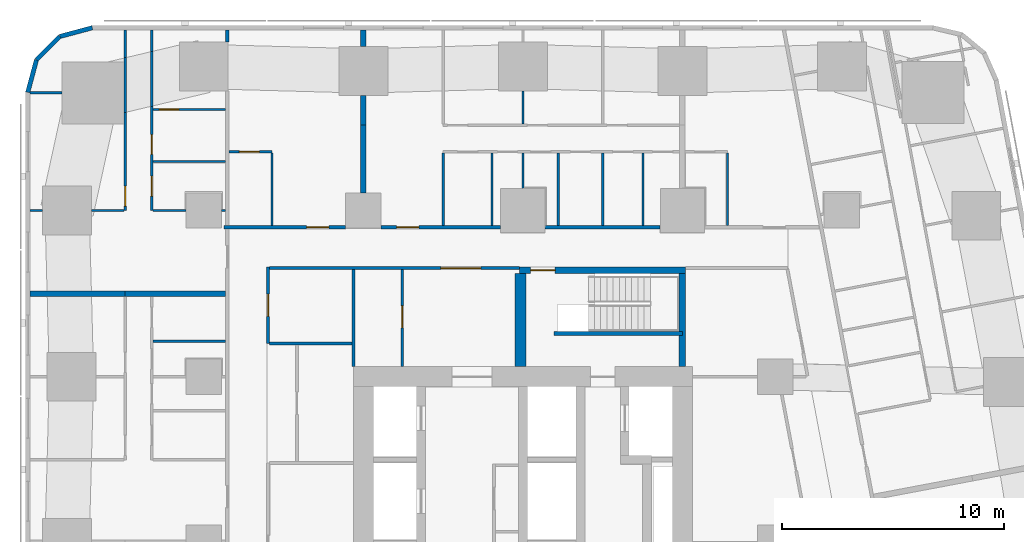
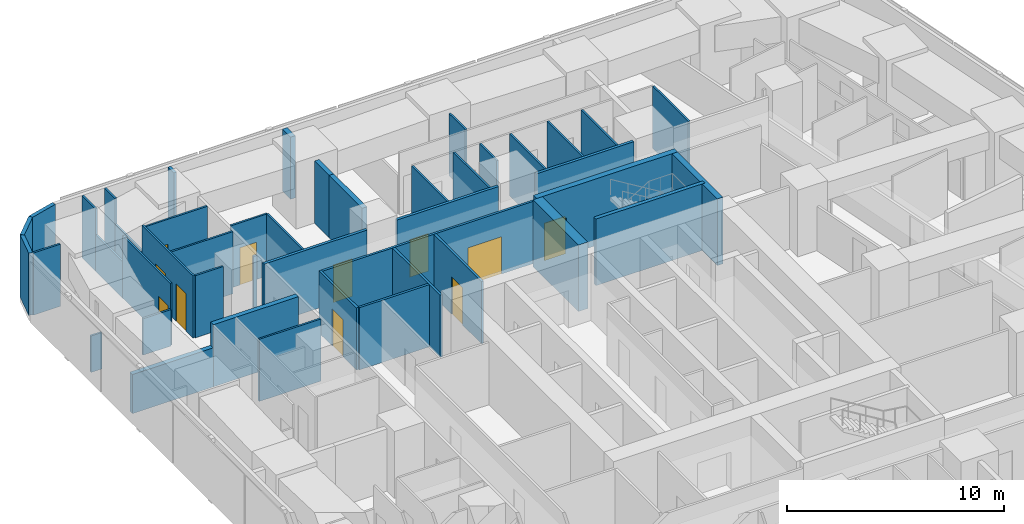
# One storey, part 8 of 15: 45 walls, 11 doors, 11 openings.
"""IFC4 building model written with IfcOpenShell, lengths in metres."""

from ifc_helpers import new_model, si_unit, direction, frame, frame_2d, origin, place, context, subcontext, project, spatial, rectangle, extrude, material, layer, layer_set, type_object, element, fill, save


model = new_model("IFC4")

# Units and contexts
model_context = context("Model", 3, precision=1e-05, world=origin(), true_north=direction((0.0, 1.0)))
body_context = subcontext(model_context, "Body", "Model", "MODEL_VIEW")
ifc_project = project(units=[si_unit("LENGTHUNIT", "METRE"), si_unit("AREAUNIT", "SQUARE_METRE"), si_unit("VOLUMEUNIT", "CUBIC_METRE"), si_unit("PLANEANGLEUNIT", "RADIAN"), si_unit("MASSUNIT", "GRAM", prefix="KILO")], contexts=[model_context])

# Site, building, storey
site_placement = place(None, origin())
site = spatial("IfcSite", under=ifc_project, at=site_placement, CompositionType="ELEMENT")
building_placement = place(site_placement, origin())
building = spatial("IfcBuilding", under=site, at=building_placement, Name="Sheger Commons Tower", CompositionType="ELEMENT")
storey_placement = place(building_placement, frame((0.0, 0.0, 77.89990234375)))
storey = spatial("IfcBuildingStorey", under=building, at=storey_placement, Name="L19", CompositionType="ELEMENT", Elevation=77.89990234375)

# Wall
ifc_material_1 = material(Name="Hollow concrete block masonry, skimmed both sides", Category="masonry")
ifc_layer_1 = layer(ifc_material_1, 0.14990234375)
ifc_layer_set_1 = layer_set([ifc_layer_1], Name="CORRIDOR WALL 150")
wall_type_1 = type_object("IfcWallType", Name="CORRIDOR WALL 150", PredefinedType="SOLIDWALL", material=ifc_layer_set_1)
wall_1_placement = place(storey_placement, frame((8.25, 45.10107421875, 0.0), z_axis=(0.0, 0.0, 1.0), x_axis=(0.0, 1.0, 0.0)))
element("IfcWall", 1, at=wall_1_placement, inside=storey, type_object=wall_type_1, Name="Corridor wall L19", PredefinedType="SOLIDWALL", context=body_context, shape_type="SweptSolid", body=[
    extrude(rectangle(XDim=0.548828125, YDim=0.14990234375, at=frame_2d((0.2744140625, 0.0))), origin(), (0.0, 0.0, 1.0), 3.5),
])

# Wall, opening, door
wall_2_placement = place(storey_placement, frame((8.10009765625, 36.75, 0.0), z_axis=(0.0, 0.0, 1.0), x_axis=(1.0, 0.0, 0.0)))
wall_2 = element("IfcWall", 2, at=wall_2_placement, inside=storey, type_object=wall_type_1, Name="Corridor wall L19", PredefinedType="SOLIDWALL", context=body_context, shape_type="SweptSolid", body=[
    extrude(rectangle(XDim=5.4990234375, YDim=0.14990234375, at=frame_2d((2.74951171875, 0.0))), origin(), (0.0, 0.0, 1.0), 3.5),
])
opening_1_placement = place(wall_2_placement, frame((3.739013671875, 0.0, 0.0)))
opening_1 = element("IfcOpeningElement", 3, at=opening_1_placement, cuts=wall_2, Name="Opening D1", PredefinedType="OPENING", context=body_context, shape_type="SweptSolid", body=[
    extrude(rectangle(XDim=1.0, YDim=2.10009765625, at=frame_2d((0.5, 1.050048828125))), frame((0.0, 0.0849609375, 0.0), z_axis=(0.0, -1.0, 0.0), x_axis=(1.0, 0.0, 0.0)), (0.0, 0.0, 1.0), 0.169921875),
])
ifc_material_2 = material(Name="Steel door set, fire rated", Category="steel")
door_type_1 = type_object("IfcDoorType", Name="FLAT ENTRANCE DOOR 1000x2100", OperationType="NOTDEFINED", PredefinedType="DOOR", material=ifc_material_2)
door_1_placement = place(opening_1_placement, origin())
door_1 = element("IfcDoor", 4, at=door_1_placement, inside=storey, type_object=door_type_1, Name="Flat entrance door", OperationType="SINGLE_SWING_RIGHT", OverallHeight=2.10009765625, OverallWidth=1.0, PredefinedType="DOOR", context=body_context, shape_type="SweptSolid", body=[
    extrude(rectangle(XDim=1.0, YDim=2.10009765625, at=frame_2d((0.5, 1.050048828125))), frame((0.0, 0.02490234375, 0.0), z_axis=(0.0, -1.0, 0.0), x_axis=(1.0, 0.0, 0.0)), (0.0, 0.0, 1.0), 0.050048828125),
])
fill(opening_1, door_1)

wall_3_placement = place(storey_placement, frame((15.200927734375, 36.75, 0.0), z_axis=(0.0, 0.0, 1.0), x_axis=(1.0, 0.0, 0.0)))
wall_3 = element("IfcWall", 5, at=wall_3_placement, inside=storey, type_object=wall_type_1, Name="Corridor wall L19", PredefinedType="SOLIDWALL", context=body_context, shape_type="SweptSolid", body=[
    extrude(rectangle(XDim=5.398193359375, YDim=0.14990234375, at=frame_2d((2.69921875, 0.0))), origin(), (0.0, 0.0, 1.0), 3.5),
])
opening_2_placement = place(wall_3_placement, frame((0.698974609375, 0.0, 0.0)))
opening_2 = element("IfcOpeningElement", 6, at=opening_2_placement, cuts=wall_3, Name="Opening D1", PredefinedType="OPENING", context=body_context, shape_type="SweptSolid", body=[
    extrude(rectangle(XDim=1.0, YDim=2.10009765625, at=frame_2d((0.5, 1.050048828125))), frame((0.0, 0.0849609375, 0.0), z_axis=(0.0, -1.0, 0.0), x_axis=(1.0, 0.0, 0.0)), (0.0, 0.0, 1.0), 0.169921875),
])
door_2_placement = place(opening_2_placement, origin())
door_2 = element("IfcDoor", 7, at=door_2_placement, inside=storey, type_object=door_type_1, Name="Flat entrance door", OperationType="SINGLE_SWING_LEFT", OverallHeight=2.10009765625, OverallWidth=1.0, PredefinedType="DOOR", context=body_context, shape_type="SweptSolid", body=[
    extrude(rectangle(XDim=1.0, YDim=2.10009765625, at=frame_2d((0.5, 1.050048828125))), frame((0.0, 0.02490234375, 0.0), z_axis=(0.0, -1.0, 0.0), x_axis=(1.0, 0.0, 0.0)), (0.0, 0.0, 1.0), 0.050048828125),
])
fill(opening_2, door_2)

# Walls
wall_4_placement = place(storey_placement, frame((22.60107421875, 36.75, 0.0), z_axis=(0.0, 0.0, 1.0), x_axis=(1.0, 0.0, 0.0)))
element("IfcWall", 8, at=wall_4_placement, inside=storey, type_object=wall_type_1, Name="Corridor wall L19", PredefinedType="SOLIDWALL", context=body_context, shape_type="SweptSolid", body=[
    extrude(rectangle(XDim=5.197998046875, YDim=0.14990234375, at=frame_2d((2.59912109375, 0.0))), origin(), (0.0, 0.0, 1.0), 3.5),
])
ifc_material_3 = material(Name="Dense concrete block masonry, plastered both sides (separating wall between flats)", Category="masonry")
ifc_layer_2 = layer(ifc_material_3, 0.25)
ifc_layer_set_2 = layer_set([ifc_layer_2], Name="DEMISING WALL 250")
wall_type_2 = type_object("IfcWallType", Name="DEMISING WALL 250", PredefinedType="SOLIDWALL", material=ifc_layer_set_2)
wall_5_placement = place(storey_placement, frame((-0.64990234375, 33.75, 0.0), z_axis=(0.0, 0.0, 1.0), x_axis=(1.0, 0.0, 0.0)))
element("IfcWall", 9, at=wall_5_placement, inside=storey, type_object=wall_type_2, Name="Demising wall L19", PredefinedType="SOLIDWALL", context=body_context, shape_type="SweptSolid", body=[
    extrude(rectangle(XDim=4.2998046875, YDim=0.25, at=frame_2d((2.14990234375, 0.0))), origin(), (0.0, 0.0, 1.0), 2.2001953125),
])
wall_6_placement = place(storey_placement, frame((3.64990234375, 33.75, 0.0), z_axis=(0.0, 0.0, 1.0), x_axis=(1.0, 0.0, 0.0)))
element("IfcWall", 10, at=wall_6_placement, inside=storey, type_object=wall_type_2, Name="Demising wall L19", PredefinedType="SOLIDWALL", context=body_context, shape_type="SweptSolid", body=[
    extrude(rectangle(XDim=4.525146484375, YDim=0.25, at=frame_2d((2.2626953125, 0.0))), origin(), (0.0, 0.0, 1.0), 3.5),
])
wall_7_placement = place(storey_placement, frame((14.39990234375, 41.35009765625, 0.0), z_axis=(0.0, 0.0, 1.0), x_axis=(0.0, 1.0, 0.0)))
element("IfcWall", 11, at=wall_7_placement, inside=storey, type_object=wall_type_2, Name="Demising wall L19", PredefinedType="SOLIDWALL", context=body_context, shape_type="SweptSolid", body=[
    extrude(rectangle(XDim=1.348876953125, YDim=0.25, at=frame_2d((0.67431640625, 0.0))), origin(), (0.0, 0.0, 1.0), 3.5),
])
wall_8_placement = place(storey_placement, frame((14.39990234375, 44.90087890625, 0.0), z_axis=(0.0, 0.0, 1.0), x_axis=(0.0, 1.0, 0.0)))
element("IfcWall", 12, at=wall_8_placement, inside=storey, type_object=wall_type_2, Name="Demising wall L19", PredefinedType="SOLIDWALL", context=body_context, shape_type="SweptSolid", body=[
    extrude(rectangle(XDim=0.7490234375, YDim=0.25, at=frame_2d((0.37451171875, 0.0))), origin(), (0.0, 0.0, 1.0), 3.5),
])
wall_9_placement = place(storey_placement, frame((14.39990234375, 38.301025390625, 0.0), z_axis=(0.0, 0.0, 1.0), x_axis=(0.0, 1.0, 0.0)))
element("IfcWall", 13, at=wall_9_placement, inside=storey, type_object=wall_type_2, Name="Demising wall L19", PredefinedType="SOLIDWALL", context=body_context, shape_type="SweptSolid", body=[
    extrude(rectangle(XDim=3.049072265625, YDim=0.25, at=frame_2d((1.5244140625, 0.0))), origin(), (0.0, 0.0, 1.0), 3.5),
])
ifc_material_4 = material(Name="Rendered concrete block masonry, dark grey", Category="masonry")
ifc_layer_3 = layer(ifc_material_4, 0.199951171875)
ifc_layer_set_3 = layer_set([ifc_layer_3], Name="FACADE WALL 200")
wall_type_3 = type_object("IfcWallType", Name="FACADE WALL 200", PredefinedType="SOLIDWALL", material=ifc_layer_set_3)
wall_10_placement = place(storey_placement, frame((2.1630859375, 45.75, 0.0), z_axis=(0.0, 0.0, 1.0), x_axis=(-0.965832000415, -0.259168954497, 0.0)))
element("IfcWall", 14, at=wall_10_placement, inside=storey, type_object=wall_type_3, Name="Facade wall L19", PredefinedType="SOLIDWALL", context=body_context, shape_type="SweptSolid", body=[
    extrude(rectangle(XDim=1.512939453125, YDim=0.199951171875, at=frame_2d((0.75634765625, 0.0))), origin(), (0.0, 0.0, 1.0), 3.5),
])
wall_11_placement = place(storey_placement, frame((0.701904296875, 45.35791015625, 0.0), z_axis=(0.0, 0.0, 1.0), x_axis=(-0.707106781187, -0.707106781187, 0.0)))
element("IfcWall", 15, at=wall_11_placement, inside=storey, type_object=wall_type_3, Name="Facade wall L19", PredefinedType="SOLIDWALL", context=body_context, shape_type="SweptSolid", body=[
    extrude(rectangle(XDim=1.498779296875, YDim=0.199951171875, at=frame_2d((0.74951171875, 0.0))), origin(), (0.0, 0.0, 1.0), 3.5),
])
wall_12_placement = place(storey_placement, frame((-0.35791015625, 44.298095703125, 0.0), z_axis=(0.0, 0.0, 1.0), x_axis=(-0.259168954497, -0.965832000415, 0.0)))
element("IfcWall", 16, at=wall_12_placement, inside=storey, type_object=wall_type_3, Name="Facade wall L19", PredefinedType="SOLIDWALL", context=body_context, shape_type="SweptSolid", body=[
    extrude(rectangle(XDim=1.512939453125, YDim=0.199951171875, at=frame_2d((0.75634765625, 0.0))), origin(), (0.0, 0.0, 1.0), 3.5),
])
ifc_material_5 = material(Name="Gypsum board on steel studs", Category="steel")
ifc_layer_4 = layer(ifc_material_5, 0.10009765625)
ifc_layer_set_4 = layer_set([ifc_layer_4], Name="PARTITION 100")
wall_type_4 = type_object("IfcWallType", Name="PARTITION 100", PredefinedType="PARTITIONING", material=ifc_layer_set_4)
wall_13_placement = place(storey_placement, frame((4.89990234375, 31.60009765625, 0.0), z_axis=(0.0, 0.0, 1.0), x_axis=(1.0, 0.0, 0.0)))
element("IfcWall", 17, at=wall_13_placement, inside=storey, type_object=wall_type_4, Name="Partition L19", PredefinedType="PARTITIONING", context=body_context, shape_type="SweptSolid", body=[
    extrude(rectangle(XDim=3.275146484375, YDim=0.10009765625, at=frame_2d((1.6376953125, 0.0))), origin(), (0.0, 0.0, 1.0), 3.5),
])

# Wall, opening, door
wall_14_placement = place(storey_placement, frame((3.64990234375, 37.5, 0.0), z_axis=(0.0, 0.0, 1.0), x_axis=(0.0, 1.0, 0.0)))
wall_14 = element("IfcWall", 18, at=wall_14_placement, inside=storey, type_object=wall_type_4, Name="Partition L19", PredefinedType="PARTITIONING", context=body_context, shape_type="SweptSolid", body=[
    extrude(rectangle(XDim=4.4150390625, YDim=0.10009765625, at=frame_2d((2.20751953125, 0.0))), origin(), (0.0, 0.0, 1.0), 3.5),
])
opening_3_placement = place(wall_14_placement, frame((0.199951171875, 0.0, 0.0)))
opening_3 = element("IfcOpeningElement", 19, at=opening_3_placement, cuts=wall_14, Name="Opening D2", PredefinedType="OPENING", context=body_context, shape_type="SweptSolid", body=[
    extrude(rectangle(XDim=0.89990234375, YDim=2.10009765625, at=frame_2d((0.449951171875, 1.050048828125))), frame((0.0, 0.06005859375, 0.0), z_axis=(0.0, -1.0, 0.0), x_axis=(1.0, 0.0, 0.0)), (0.0, 0.0, 1.0), 0.1201171875),
])
ifc_material_6 = material(Name="Timber door set", Category="wood")
door_type_2 = type_object("IfcDoorType", Name="INTERNAL DOOR 900x2100", OperationType="NOTDEFINED", PredefinedType="DOOR", material=ifc_material_6)
door_3_placement = place(opening_3_placement, origin())
door_3 = element("IfcDoor", 20, at=door_3_placement, inside=storey, type_object=door_type_2, Name="Main bedroom door", OperationType="SINGLE_SWING_LEFT", OverallHeight=2.10009765625, OverallWidth=0.89990234375, PredefinedType="DOOR", context=body_context, shape_type="SweptSolid", body=[
    extrude(rectangle(XDim=0.89990234375, YDim=2.10009765625, at=frame_2d((0.449951171875, 1.050048828125))), frame((0.0, 0.02490234375, 0.0), z_axis=(0.0, -1.0, 0.0), x_axis=(1.0, 0.0, 0.0)), (0.0, 0.0, 1.0), 0.050048828125),
])
fill(opening_3, door_3)

# Walls
wall_15_placement = place(storey_placement, frame((3.64990234375, 41.9150390625, 0.0), z_axis=(0.0, 0.0, 1.0), x_axis=(0.0, 1.0, 0.0)))
element("IfcWall", 21, at=wall_15_placement, inside=storey, type_object=wall_type_4, Name="Partition L19", PredefinedType="PARTITIONING", context=body_context, shape_type="SweptSolid", body=[
    extrude(rectangle(XDim=2.489990234375, YDim=0.10009765625, at=frame_2d((1.2451171875, 0.0))), origin(), (0.0, 0.0, 1.0), 2.050048828125),
])
wall_16_placement = place(storey_placement, frame((3.64990234375, 44.405029296875, 0.0), z_axis=(0.0, 0.0, 1.0), x_axis=(0.0, 1.0, 0.0)))
element("IfcWall", 22, at=wall_16_placement, inside=storey, type_object=wall_type_4, Name="Partition L19", PredefinedType="PARTITIONING", context=body_context, shape_type="SweptSolid", body=[
    extrude(rectangle(XDim=1.244873046875, YDim=0.10009765625, at=frame_2d((0.62255859375, 0.0))), origin(), (0.0, 0.0, 1.0), 3.5),
])

# Wall, openings, doors
wall_17_placement = place(storey_placement, frame((4.85009765625, 37.5, 0.0), z_axis=(0.0, 0.0, 1.0), x_axis=(0.0, 1.0, 0.0)))
wall_17 = element("IfcWall", 23, at=wall_17_placement, inside=storey, type_object=wall_type_4, Name="Partition L19", PredefinedType="PARTITIONING", context=body_context, shape_type="SweptSolid", body=[
    extrude(rectangle(XDim=4.698974609375, YDim=0.10009765625, at=frame_2d((2.349609375, 0.0))), origin(), (0.0, 0.0, 1.0), 3.5),
])
opening_4_placement = place(wall_17_placement, frame((0.655029296875, 0.0, 0.0)))
opening_4 = element("IfcOpeningElement", 24, at=opening_4_placement, cuts=wall_17, Name="Opening D2", PredefinedType="OPENING", context=body_context, shape_type="SweptSolid", body=[
    extrude(rectangle(XDim=0.89990234375, YDim=2.10009765625, at=frame_2d((0.449951171875, 1.050048828125))), frame((0.0, 0.06005859375, 0.0), z_axis=(0.0, -1.0, 0.0), x_axis=(1.0, 0.0, 0.0)), (0.0, 0.0, 1.0), 0.1201171875),
])
opening_5_placement = place(wall_17_placement, frame((2.530029296875, 0.0, 0.0)))
opening_5 = element("IfcOpeningElement", 25, at=opening_5_placement, cuts=wall_17, Name="Opening D2", PredefinedType="OPENING", context=body_context, shape_type="SweptSolid", body=[
    extrude(rectangle(XDim=0.89990234375, YDim=2.10009765625, at=frame_2d((0.449951171875, 1.050048828125))), frame((0.0, 0.06005859375, 0.0), z_axis=(0.0, -1.0, 0.0), x_axis=(1.0, 0.0, 0.0)), (0.0, 0.0, 1.0), 0.1201171875),
])
door_4_placement = place(opening_4_placement, origin())
door_4 = element("IfcDoor", 26, at=door_4_placement, inside=storey, type_object=door_type_2, Name="Bathroom door", OperationType="SINGLE_SWING_RIGHT", OverallHeight=2.10009765625, OverallWidth=0.89990234375, PredefinedType="DOOR", context=body_context, shape_type="SweptSolid", body=[
    extrude(rectangle(XDim=0.89990234375, YDim=2.10009765625, at=frame_2d((0.449951171875, 1.050048828125))), frame((0.0, 0.02490234375, 0.0), z_axis=(0.0, -1.0, 0.0), x_axis=(1.0, 0.0, 0.0)), (0.0, 0.0, 1.0), 0.050048828125),
])
fill(opening_4, door_4)
door_5_placement = place(opening_5_placement, origin())
door_5 = element("IfcDoor", 27, at=door_5_placement, inside=storey, type_object=door_type_2, Name="Store door", OperationType="SINGLE_SWING_RIGHT", OverallHeight=2.10009765625, OverallWidth=0.89990234375, PredefinedType="DOOR", context=body_context, shape_type="SweptSolid", body=[
    extrude(rectangle(XDim=0.89990234375, YDim=2.10009765625, at=frame_2d((0.449951171875, 1.050048828125))), frame((0.0, 0.02490234375, 0.0), z_axis=(0.0, -1.0, 0.0), x_axis=(1.0, 0.0, 0.0)), (0.0, 0.0, 1.0), 0.050048828125),
])
fill(opening_5, door_5)

# Walls
wall_18_placement = place(storey_placement, frame((4.85009765625, 42.198974609375, 0.0), z_axis=(0.0, 0.0, 1.0), x_axis=(0.0, 1.0, 0.0)))
element("IfcWall", 28, at=wall_18_placement, inside=storey, type_object=wall_type_4, Name="Partition L19", PredefinedType="PARTITIONING", context=body_context, shape_type="SweptSolid", body=[
    extrude(rectangle(XDim=2.489990234375, YDim=0.10009765625, at=frame_2d((1.2451171875, 0.0))), origin(), (0.0, 0.0, 1.0), 2.050048828125),
])
wall_19_placement = place(storey_placement, frame((4.85009765625, 44.68896484375, 0.0), z_axis=(0.0, 0.0, 1.0), x_axis=(0.0, 1.0, 0.0)))
element("IfcWall", 29, at=wall_19_placement, inside=storey, type_object=wall_type_4, Name="Partition L19", PredefinedType="PARTITIONING", context=body_context, shape_type="SweptSolid", body=[
    extrude(rectangle(XDim=0.9609375, YDim=0.10009765625, at=frame_2d((0.48046875, 0.0))), origin(), (0.0, 0.0, 1.0), 3.5),
])
wall_20_placement = place(storey_placement, frame((-0.64990234375, 37.5, 0.0), z_axis=(0.0, 0.0, 1.0), x_axis=(1.0, 0.0, 0.0)))
element("IfcWall", 30, at=wall_20_placement, inside=storey, type_object=wall_type_4, Name="Partition L19", PredefinedType="PARTITIONING", context=body_context, shape_type="SweptSolid", body=[
    extrude(rectangle(XDim=0.573974609375, YDim=0.10009765625, at=frame_2d((0.287109375, 0.0))), origin(), (0.0, 0.0, 1.0), 2.050048828125),
])
wall_21_placement = place(storey_placement, frame((2.1259765625, 37.5, 0.0), z_axis=(0.0, 0.0, 1.0), x_axis=(1.0, 0.0, 0.0)))
element("IfcWall", 31, at=wall_21_placement, inside=storey, type_object=wall_type_4, Name="Partition L19", PredefinedType="PARTITIONING", context=body_context, shape_type="SweptSolid", body=[
    extrude(rectangle(XDim=1.47412109375, YDim=0.10009765625, at=frame_2d((0.737060546875, 0.0))), origin(), (0.0, 0.0, 1.0), 2.050048828125),
])
wall_22_placement = place(storey_placement, frame((-0.64990234375, 42.81396484375, 0.0), z_axis=(0.0, 0.0, 1.0), x_axis=(1.0, 0.0, 0.0)))
element("IfcWall", 32, at=wall_22_placement, inside=storey, type_object=wall_type_4, Name="Partition L19", PredefinedType="PARTITIONING", context=body_context, shape_type="SweptSolid", body=[
    extrude(rectangle(XDim=1.434814453125, YDim=0.10009765625, at=frame_2d((0.71728515625, 0.0))), origin(), (0.0, 0.0, 1.0), 3.5),
])
wall_23_placement = place(storey_placement, frame((4.89990234375, 37.5, 0.0), z_axis=(0.0, 0.0, 1.0), x_axis=(1.0, 0.0, 0.0)))
element("IfcWall", 33, at=wall_23_placement, inside=storey, type_object=wall_type_4, Name="Partition L19", PredefinedType="PARTITIONING", context=body_context, shape_type="SweptSolid", body=[
    extrude(rectangle(XDim=1.4990234375, YDim=0.10009765625, at=frame_2d((0.74951171875, 0.0))), origin(), (0.0, 0.0, 1.0), 3.5),
])
wall_24_placement = place(storey_placement, frame((8.0009765625, 37.5, 0.0), z_axis=(0.0, 0.0, 1.0), x_axis=(1.0, 0.0, 0.0)))
element("IfcWall", 34, at=wall_24_placement, inside=storey, type_object=wall_type_4, Name="Partition L19", PredefinedType="PARTITIONING", context=body_context, shape_type="SweptSolid", body=[
    extrude(rectangle(XDim=0.174072265625, YDim=0.10009765625, at=frame_2d((0.0869140625, 0.0))), origin(), (0.0, 0.0, 1.0), 3.5),
])
wall_25_placement = place(storey_placement, frame((4.89990234375, 39.7099609375, 0.0), z_axis=(0.0, 0.0, 1.0), x_axis=(1.0, 0.0, 0.0)))
element("IfcWall", 35, at=wall_25_placement, inside=storey, type_object=wall_type_4, Name="Partition L19", PredefinedType="PARTITIONING", context=body_context, shape_type="SweptSolid", body=[
    extrude(rectangle(XDim=3.275146484375, YDim=0.10009765625, at=frame_2d((1.6376953125, 0.0))), origin(), (0.0, 0.0, 1.0), 3.5),
])

# Wall, opening, door
wall_26_placement = place(storey_placement, frame((8.324951171875, 40.14990234375, 0.0), z_axis=(0.0, 0.0, 1.0), x_axis=(1.0, 0.0, 0.0)))
wall_26 = element("IfcWall", 36, at=wall_26_placement, inside=storey, type_object=wall_type_4, Name="Partition L19", PredefinedType="PARTITIONING", context=body_context, shape_type="SweptSolid", body=[
    extrude(rectangle(XDim=1.9541015625, YDim=0.10009765625, at=frame_2d((0.97705078125, 0.0))), origin(), (0.0, 0.0, 1.0), 3.5),
])
opening_6_placement = place(wall_26_placement, frame((0.47509765625, 0.0, 0.0)))
opening_6 = element("IfcOpeningElement", 37, at=opening_6_placement, cuts=wall_26, Name="Opening D2", PredefinedType="OPENING", context=body_context, shape_type="SweptSolid", body=[
    extrude(rectangle(XDim=0.89990234375, YDim=2.10009765625, at=frame_2d((0.449951171875, 1.050048828125))), frame((0.0, 0.06005859375, 0.0), z_axis=(0.0, -1.0, 0.0), x_axis=(1.0, 0.0, 0.0)), (0.0, 0.0, 1.0), 0.1201171875),
])
door_6_placement = place(opening_6_placement, origin())
door_6 = element("IfcDoor", 38, at=door_6_placement, inside=storey, type_object=door_type_2, Name="Shower room door", OperationType="SINGLE_SWING_RIGHT", OverallHeight=2.10009765625, OverallWidth=0.89990234375, PredefinedType="DOOR", context=body_context, shape_type="SweptSolid", body=[
    extrude(rectangle(XDim=0.89990234375, YDim=2.10009765625, at=frame_2d((0.449951171875, 1.050048828125))), frame((0.0, 0.02490234375, 0.0), z_axis=(0.0, -1.0, 0.0), x_axis=(1.0, 0.0, 0.0)), (0.0, 0.0, 1.0), 0.050048828125),
])
fill(opening_6, door_6)

# Walls
wall_27_placement = place(storey_placement, frame((10.279052734375, 36.824951171875, 0.0), z_axis=(0.0, 0.0, 1.0), x_axis=(0.0, 1.0, 0.0)))
element("IfcWall", 39, at=wall_27_placement, inside=storey, type_object=wall_type_4, Name="Partition L19", PredefinedType="PARTITIONING", context=body_context, shape_type="SweptSolid", body=[
    extrude(rectangle(XDim=3.275146484375, YDim=0.10009765625, at=frame_2d((1.6376953125, 0.0))), origin(), (0.0, 0.0, 1.0), 3.5),
])
wall_28_placement = place(storey_placement, frame((21.60009765625, 41.39990234375, 0.0), z_axis=(0.0, 0.0, 1.0), x_axis=(0.0, 1.0, 0.0)))
element("IfcWall", 40, at=wall_28_placement, inside=storey, type_object=wall_type_4, Name="Partition L19", PredefinedType="PARTITIONING", context=body_context, shape_type="SweptSolid", body=[
    extrude(rectangle(XDim=1.4990234375, YDim=0.10009765625, at=frame_2d((0.74951171875, 0.0))), origin(), (0.0, 0.0, 1.0), 3.5),
])
wall_29_placement = place(storey_placement, frame((18.0, 36.824951171875, 0.0), z_axis=(0.0, 0.0, 1.0), x_axis=(0.0, 1.0, 0.0)))
element("IfcWall", 41, at=wall_29_placement, inside=storey, type_object=wall_type_4, Name="Partition L19", PredefinedType="PARTITIONING", context=body_context, shape_type="SweptSolid", body=[
    extrude(rectangle(XDim=3.275146484375, YDim=0.10009765625, at=frame_2d((1.6376953125, 0.0))), origin(), (0.0, 0.0, 1.0), 3.5),
])
wall_30_placement = place(storey_placement, frame((21.60009765625, 38.5009765625, 0.0), z_axis=(0.0, 0.0, 1.0), x_axis=(0.0, 1.0, 0.0)))
element("IfcWall", 42, at=wall_30_placement, inside=storey, type_object=wall_type_4, Name="Partition L19", PredefinedType="PARTITIONING", context=body_context, shape_type="SweptSolid", body=[
    extrude(rectangle(XDim=1.59912109375, YDim=0.10009765625, at=frame_2d((0.799560546875, 0.0))), origin(), (0.0, 0.0, 1.0), 3.5),
])
for number, where, z_axis, x_axis, name in (
    (43, (25.199951171875, 36.824951171875, 0.0), (0.0, 0.0, 1.0), (0.0, 1.0, 0.0), "Partition L19"),
    (44, (20.2099609375, 36.824951171875, 0.0), (0.0, 0.0, 1.0), (0.0, 1.0, 0.0), "Partition L19"),
    (45, (23.199951171875, 36.824951171875, 0.0), (0.0, 0.0, 1.0), (0.0, 1.0, 0.0), "Partition L19"),
    (46, (27.02001953125, 36.824951171875, 0.0), (0.0, 0.0, 1.0), (0.0, 1.0, 0.0), "Partition L19"),
    (47, (30.8291015625, 36.824951171875, 0.0), (0.0, 0.0, 1.0), (0.0, 1.0, 0.0), "Partition L19"),
):
    element("IfcWall", number, at=place(storey_placement, frame(where, z_axis=z_axis, x_axis=x_axis)), inside=storey, type_object=wall_type_4, Name=name, PredefinedType="PARTITIONING", context=body_context, shape_type="SweptSolid", body=[
        extrude(rectangle(XDim=3.275146484375, YDim=0.10009765625, at=frame_2d((1.6376953125, 0.0))), origin(), (0.0, 0.0, 1.0), 3.5),
    ])

# Wall, opening, door
wall_31_placement = place(storey_placement, frame((8.175048828125, 42.06005859375, 0.0), z_axis=(0.0, 0.0, 1.0), x_axis=(-1.0, 0.0, 0.0)))
wall_31 = element("IfcWall", 48, at=wall_31_placement, inside=storey, type_object=wall_type_4, Name="Partition L19", PredefinedType="PARTITIONING", context=body_context, shape_type="SweptSolid", body=[
    extrude(rectangle(XDim=3.275146484375, YDim=0.10009765625, at=frame_2d((1.6376953125, 0.0))), origin(), (0.0, 0.0, 1.0), 3.5),
])
opening_7_placement = place(wall_31_placement, frame((2.10009765625, 0.0, 0.0)))
opening_7 = element("IfcOpeningElement", 49, at=opening_7_placement, cuts=wall_31, Name="Opening D2", PredefinedType="OPENING", context=body_context, shape_type="SweptSolid", body=[
    extrude(rectangle(XDim=0.89990234375, YDim=2.10009765625, at=frame_2d((0.449951171875, 1.050048828125))), frame((0.0, 0.06005859375, 0.0), z_axis=(0.0, -1.0, 0.0), x_axis=(1.0, 0.0, 0.0)), (0.0, 0.0, 1.0), 0.1201171875),
])
door_7_placement = place(opening_7_placement, origin())
door_7 = element("IfcDoor", 50, at=door_7_placement, inside=storey, type_object=door_type_2, Name="Store door", OperationType="SINGLE_SWING_LEFT", OverallHeight=2.10009765625, OverallWidth=0.89990234375, PredefinedType="DOOR", context=body_context, shape_type="SweptSolid", body=[
    extrude(rectangle(XDim=0.89990234375, YDim=2.10009765625, at=frame_2d((0.449951171875, 1.050048828125))), frame((0.0, 0.02490234375, 0.0), z_axis=(0.0, -1.0, 0.0), x_axis=(1.0, 0.0, 0.0)), (0.0, 0.0, 1.0), 0.050048828125),
])
fill(opening_7, door_7)

ifc_material_7 = material(Name="Gypsum board on steel studs, two layers each side, fire rated", Category="steel")
ifc_layer_5 = layer(ifc_material_7, 0.125)
ifc_layer_set_5 = layer_set([ifc_layer_5], Name="SERVICE WALL 125")
wall_type_5 = type_object("IfcWallType", Name="SERVICE WALL 125", PredefinedType="PARTITIONING", material=ifc_layer_set_5)
wall_32_placement = place(storey_placement, frame((10.10009765625, 31.5, 0.0), z_axis=(0.0, 0.0, 1.0), x_axis=(0.0, 1.0, 0.0)))
wall_32 = element("IfcWall", 51, at=wall_32_placement, inside=storey, type_object=wall_type_5, Name="Service room wall L19", PredefinedType="PARTITIONING", context=body_context, shape_type="SweptSolid", body=[
    extrude(rectangle(XDim=3.449951171875, YDim=0.125, at=frame_2d((1.72509765625, 0.0))), origin(), (0.0, 0.0, 1.0), 3.5),
])
opening_8_placement = place(wall_32_placement, frame((1.22509765625, 0.0, 0.0)))
opening_8 = element("IfcOpeningElement", 52, at=opening_8_placement, cuts=wall_32, Name="Opening D4", PredefinedType="OPENING", context=body_context, shape_type="SweptSolid", body=[
    extrude(rectangle(XDim=1.0, YDim=2.10009765625, at=frame_2d((0.5, 1.050048828125))), frame((0.0, 0.072509765625, 0.0), z_axis=(0.0, -1.0, 0.0), x_axis=(1.0, 0.0, 0.0)), (0.0, 0.0, 1.0), 0.14501953125),
])
ifc_material_8 = material(Name="Steel door set, fire rated", Category="steel")
door_type_3 = type_object("IfcDoorType", Name="SERVICE DOOR 1000x2100", OperationType="NOTDEFINED", PredefinedType="DOOR", material=ifc_material_8)
door_8_placement = place(opening_8_placement, origin())
door_8 = element("IfcDoor", 53, at=door_8_placement, inside=storey, type_object=door_type_3, Name="Cleaner's store door", OperationType="SINGLE_SWING_RIGHT", OverallHeight=2.10009765625, OverallWidth=1.0, PredefinedType="DOOR", context=body_context, shape_type="SweptSolid", body=[
    extrude(rectangle(XDim=1.0, YDim=2.10009765625, at=frame_2d((0.5, 1.050048828125))), frame((0.0, 0.02490234375, 0.0), z_axis=(0.0, -1.0, 0.0), x_axis=(1.0, 0.0, 0.0)), (0.0, 0.0, 1.0), 0.050048828125),
])
fill(opening_8, door_8)

# Walls
wall_33_placement = place(storey_placement, frame((10.1630859375, 31.5, 0.0), z_axis=(0.0, 0.0, 1.0), x_axis=(1.0, 0.0, 0.0)))
element("IfcWall", 54, at=wall_33_placement, inside=storey, type_object=wall_type_5, Name="Service room wall L19", PredefinedType="PARTITIONING", context=body_context, shape_type="SweptSolid", body=[
    extrude(rectangle(XDim=3.724853515625, YDim=0.125, at=frame_2d((1.8623046875, 0.0))), origin(), (0.0, 0.0, 1.0), 3.5),
])
wall_34_placement = place(storey_placement, frame((13.949951171875, 30.449951171875, 0.0), z_axis=(0.0, 0.0, 1.0), x_axis=(0.0, 1.0, 0.0)))
element("IfcWall", 55, at=wall_34_placement, inside=storey, type_object=wall_type_5, Name="Service room wall L19", PredefinedType="PARTITIONING", context=body_context, shape_type="SweptSolid", body=[
    extrude(rectangle(XDim=4.386962890625, YDim=0.125, at=frame_2d((2.193359375, 0.0))), origin(), (0.0, 0.0, 1.0), 3.5),
])

# Wall, opening, door
wall_35_placement = place(storey_placement, frame((10.1630859375, 34.89990234375, 0.0), z_axis=(0.0, 0.0, 1.0), x_axis=(1.0, 0.0, 0.0)))
wall_35 = element("IfcWall", 56, at=wall_35_placement, inside=storey, type_object=wall_type_5, Name="Service room wall L19", PredefinedType="PARTITIONING", context=body_context, shape_type="SweptSolid", body=[
    extrude(rectangle(XDim=11.286865234375, YDim=0.125, at=frame_2d((5.6435546875, 0.0))), origin(), (0.0, 0.0, 1.0), 3.5),
])
opening_9_placement = place(wall_35_placement, frame((7.737060546875, 0.0, 0.0)))
opening_9 = element("IfcOpeningElement", 57, at=opening_9_placement, cuts=wall_35, Name="Opening D6", PredefinedType="OPENING", context=body_context, shape_type="SweptSolid", body=[
    extrude(rectangle(XDim=1.800048828125, YDim=2.10009765625, at=frame_2d((0.89990234375, 1.050048828125))), frame((0.0, 0.072509765625, 0.0), z_axis=(0.0, -1.0, 0.0), x_axis=(1.0, 0.0, 0.0)), (0.0, 0.0, 1.0), 0.14501953125),
])
ifc_material_9 = material(Name="Steel door set, fire rated", Category="steel")
door_type_4 = type_object("IfcDoorType", Name="LOBBY DOUBLE DOOR 1800x2100", OperationType="DOUBLE_DOOR_SINGLE_SWING", PredefinedType="DOOR", material=ifc_material_9)
door_9_placement = place(opening_9_placement, origin())
door_9 = element("IfcDoor", 58, at=door_9_placement, inside=storey, type_object=door_type_4, Name="Lift lobby north door", OperationType="DOUBLE_DOOR_SINGLE_SWING", OverallHeight=2.10009765625, OverallWidth=1.800048828125, PredefinedType="DOOR", context=body_context, shape_type="SweptSolid", body=[
    extrude(rectangle(XDim=1.800048828125, YDim=2.10009765625, at=frame_2d((0.89990234375, 1.050048828125))), frame((0.0, 0.02490234375, 0.0), z_axis=(0.0, -1.0, 0.0), x_axis=(1.0, 0.0, 0.0)), (0.0, 0.0, 1.0), 0.050048828125),
])
fill(opening_9, door_9)

wall_36_placement = place(storey_placement, frame((16.14990234375, 30.449951171875, 0.0), z_axis=(0.0, 0.0, 1.0), x_axis=(0.0, 1.0, 0.0)))
wall_36 = element("IfcWall", 59, at=wall_36_placement, inside=storey, type_object=wall_type_5, Name="Service room wall L19", PredefinedType="PARTITIONING", context=body_context, shape_type="SweptSolid", body=[
    extrude(rectangle(XDim=4.386962890625, YDim=0.125, at=frame_2d((2.193359375, 0.0))), origin(), (0.0, 0.0, 1.0), 3.5),
])
opening_10_placement = place(wall_36_placement, frame((1.75, 0.0, 0.0)))
opening_10 = element("IfcOpeningElement", 60, at=opening_10_placement, cuts=wall_36, Name="Opening D4", PredefinedType="OPENING", context=body_context, shape_type="SweptSolid", body=[
    extrude(rectangle(XDim=1.0, YDim=2.10009765625, at=frame_2d((0.5, 1.050048828125))), frame((0.0, 0.072509765625, 0.0), z_axis=(0.0, -1.0, 0.0), x_axis=(1.0, 0.0, 0.0)), (0.0, 0.0, 1.0), 0.14501953125),
])
door_10_placement = place(opening_10_placement, origin())
door_10 = element("IfcDoor", 61, at=door_10_placement, inside=storey, type_object=door_type_3, Name="Telecom room door", OperationType="SINGLE_SWING_RIGHT", OverallHeight=2.10009765625, OverallWidth=1.0, PredefinedType="DOOR", context=body_context, shape_type="SweptSolid", body=[
    extrude(rectangle(XDim=1.0, YDim=2.10009765625, at=frame_2d((0.5, 1.050048828125))), frame((0.0, 0.02490234375, 0.0), z_axis=(0.0, -1.0, 0.0), x_axis=(1.0, 0.0, 0.0)), (0.0, 0.0, 1.0), 0.050048828125),
])
fill(opening_10, door_10)

ifc_material_10 = material(Name="Concrete C50/60", Category="concrete")
ifc_layer_6 = layer(ifc_material_10, 0.300048828125)
ifc_layer_set_6 = layer_set([ifc_layer_6], Name="STAIR CORE WALL 300")
wall_type_6 = type_object("IfcWallType", Name="STAIR CORE WALL 300", PredefinedType="SHEAR", material=ifc_layer_set_6)
wall_37_placement = place(storey_placement, frame((21.449951171875, 34.800048828125, 0.0), z_axis=(0.0, 0.0, 1.0), x_axis=(1.0, 0.0, 0.0)))
wall_37 = element("IfcWall", 62, at=wall_37_placement, inside=storey, type_object=wall_type_6, Name="STW-L19-S2N", PredefinedType="SHEAR", context=body_context, shape_type="SweptSolid", body=[
    extrude(rectangle(XDim=7.5, YDim=0.300048828125, at=frame_2d((3.75, 0.0))), origin(), (0.0, 0.0, 1.0), 3.75),
])
opening_11_placement = place(wall_37_placement, frame((0.5, 0.0, 0.0)))
opening_11 = element("IfcOpeningElement", 63, at=opening_11_placement, cuts=wall_37, Name="Opening D5", PredefinedType="OPENING", context=body_context, shape_type="SweptSolid", body=[
    extrude(rectangle(XDim=1.10009765625, YDim=2.10009765625, at=frame_2d((0.550048828125, 1.050048828125))), frame((0.0, 0.159912109375, 0.0), z_axis=(0.0, -1.0, 0.0), x_axis=(1.0, 0.0, 0.0)), (0.0, 0.0, 1.0), 0.320068359375),
])
ifc_material_11 = material(Name="Steel door set, fire rated", Category="steel")
door_type_5 = type_object("IfcDoorType", Name="STAIR DOOR 1100x2100", OperationType="NOTDEFINED", PredefinedType="DOOR", material=ifc_material_11)
door_11_placement = place(opening_11_placement, origin())
door_11 = element("IfcDoor", 64, at=door_11_placement, inside=storey, type_object=door_type_5, Name="Stair S2 door", OperationType="SINGLE_SWING_RIGHT", OverallHeight=2.10009765625, OverallWidth=1.10009765625, PredefinedType="DOOR", context=body_context, shape_type="SweptSolid", body=[
    extrude(rectangle(XDim=1.10009765625, YDim=2.10009765625, at=frame_2d((0.550048828125, 1.050048828125))), frame((0.0, 0.02490234375, 0.0), z_axis=(0.0, -1.0, 0.0), x_axis=(1.0, 0.0, 0.0)), (0.0, 0.0, 1.0), 0.050048828125),
])
fill(opening_11, door_11)

# Walls
wall_38_placement = place(storey_placement, frame((28.800048828125, 30.449951171875, 0.0), z_axis=(0.0, 0.0, 1.0), x_axis=(0.0, 1.0, 0.0)))
element("IfcWall", 65, at=wall_38_placement, inside=storey, type_object=wall_type_6, Name="STW-L19-S2E", PredefinedType="SHEAR", context=body_context, shape_type="SweptSolid", body=[
    extrude(rectangle(XDim=4.199951171875, YDim=0.300048828125, at=frame_2d((2.10009765625, 0.0))), origin(), (0.0, 0.0, 1.0), 3.75),
])
ifc_material_12 = material(Name="Concrete C50/60", Category="concrete")
ifc_layer_7 = layer(ifc_material_12, 0.5)
ifc_layer_set_7 = layer_set([ifc_layer_7], Name="STAIR CORE WALL 500")
wall_type_7 = type_object("IfcWallType", Name="STAIR CORE WALL 500", PredefinedType="SHEAR", material=ifc_layer_set_7)
wall_39_placement = place(storey_placement, frame((21.5, 30.449951171875, 0.0), z_axis=(0.0, 0.0, 1.0), x_axis=(0.0, 1.0, 0.0)))
element("IfcWall", 66, at=wall_39_placement, inside=storey, type_object=wall_type_7, Name="STW-L19-S2W", PredefinedType="SHEAR", context=body_context, shape_type="SweptSolid", body=[
    extrude(rectangle(XDim=4.199951171875, YDim=0.5, at=frame_2d((2.10009765625, 0.0))), origin(), (0.0, 0.0, 1.0), 3.75),
])
ifc_material_13 = material(Name="Concrete C50/60", Category="concrete")
ifc_layer_8 = layer(ifc_material_13, 0.199951171875)
ifc_layer_set_8 = layer_set([ifc_layer_8], Name="STAIR SPINE WALL 200")
wall_type_8 = type_object("IfcWallType", Name="STAIR SPINE WALL 200", PredefinedType="SHEAR", material=ifc_layer_set_8)
wall_40_placement = place(storey_placement, frame((23.0, 31.949951171875, 0.0), z_axis=(0.0, 0.0, 1.0), x_axis=(1.0, 0.0, 0.0)))
element("IfcWall", 67, at=wall_40_placement, inside=storey, type_object=wall_type_8, Name="Stair spine wall L19", PredefinedType="SHEAR", context=body_context, shape_type="SweptSolid", body=[
    extrude(rectangle(XDim=5.800048828125, YDim=0.199951171875, at=frame_2d((2.89990234375, 0.0))), origin(), (0.0, 0.0, 1.0), 3.75),
])

save(model, "model.ifc")
